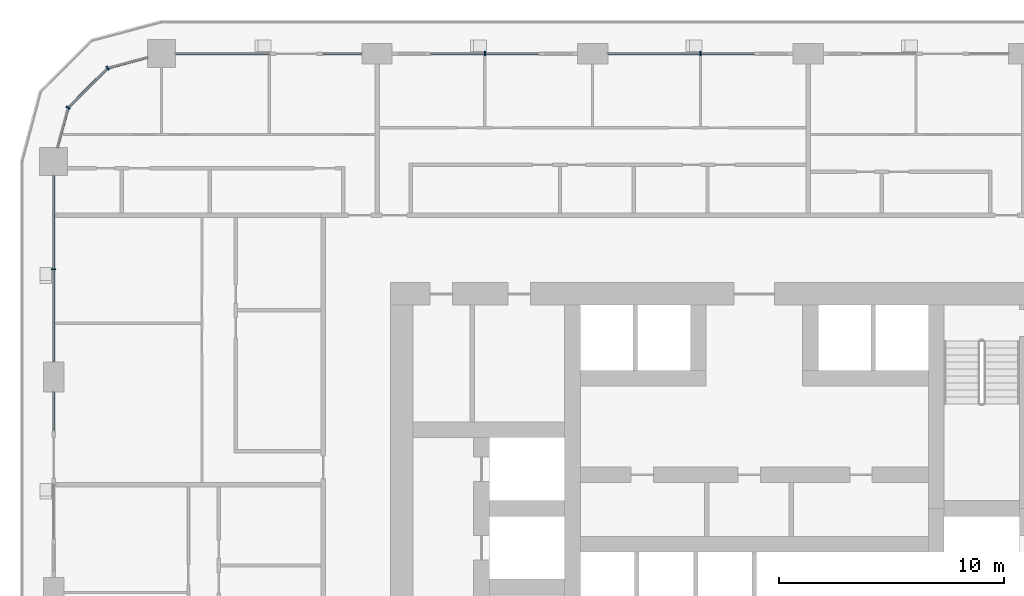
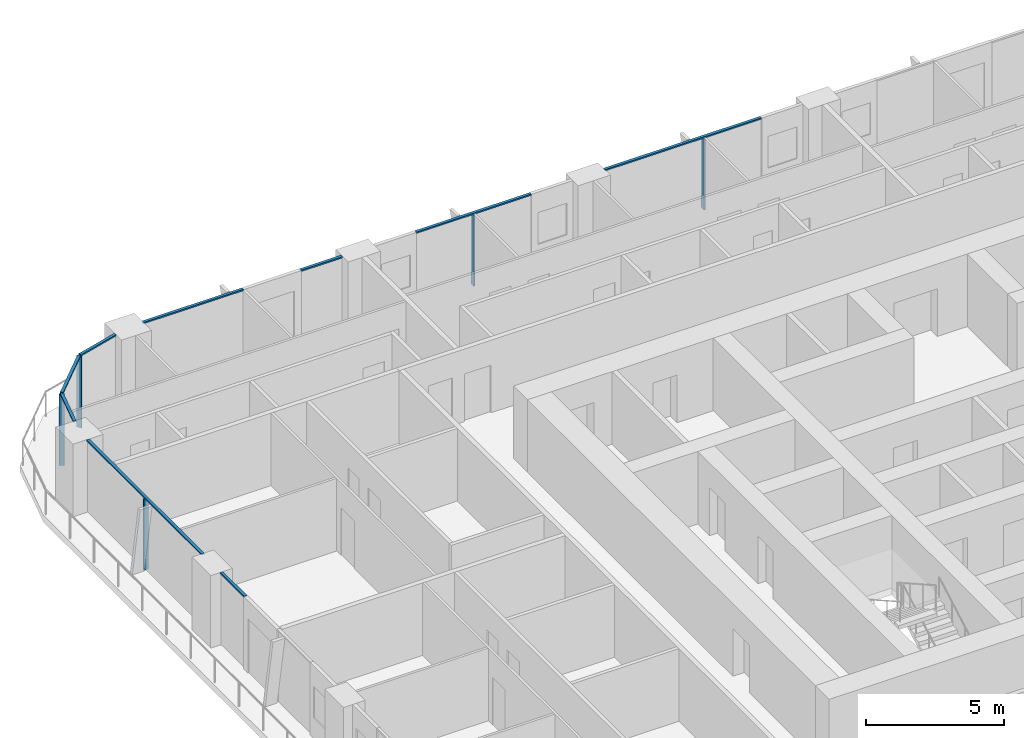
# One storey, part 5 of 21: 14 members, 6 elements without a shape of their own.
"""IFC4 building model written with IfcOpenShell, lengths in metres."""

import ifcopenshell
import ifcopenshell.guid

model = None  # the IFC model being written
_history = None  # IfcOwnerHistory: only IFC2X3 demands one
_inside = {}  # id of a spatial element -> (the spatial element, [elements in it])
_under = {}  # id of a project, library or spatial element -> (it, [spatial elements below it])
_declared = {}  # id of a project -> (the project, [libraries it declares])
_typed = {}  # id of a type object -> (the type object, [elements of that type])
_made_of = {}  # id of a material, layer set ... -> (it, [elements and type objects made of it])


def new_model(schema):
    """Start an empty IFC model of exactly this schema.

    Asked for "IFC4X3", IfcOpenShell would pick the latest addendum, in which some entities
    have other attributes; the version numbers below select the first issue.
    IFC2X3 requires an IfcOwnerHistory on every rooted entity: one is made here for all.
    """
    global model, _history
    if schema == "IFC4X3":
        model = ifcopenshell.file(schema_version=(4, 3, 0, 0))
    else:
        model = ifcopenshell.file(schema=schema)
    _inside.clear()
    _under.clear()
    _declared.clear()
    _typed.clear()
    _made_of.clear()
    _history = None
    if model.schema == "IFC2X3":
        org = make("IfcOrganization", Name="unknown")
        user = make(
            "IfcPersonAndOrganization",
            ThePerson=make("IfcPerson", FamilyName="unknown"),
            TheOrganization=org,
        )
        app = make(
            "IfcApplication",
            ApplicationDeveloper=org,
            Version="unknown",
            ApplicationFullName="unknown",
            ApplicationIdentifier="unknown",
        )
        _history = make(
            "IfcOwnerHistory",
            OwningUser=user,
            OwningApplication=app,
            ChangeAction="ADDED",
            CreationDate=0,
        )
    return model


def make(cls, **values):
    """One entity of the class cls with the attributes given. An attribute that is None is left unset."""
    return model.create_entity(
        cls, **{name: value for name, value in values.items() if value is not None}
    )


def rooted(cls, **values):
    """An entity with a GlobalId (a new one), such as an element, a storey or a relation."""
    return make(cls, GlobalId=ifcopenshell.guid.new(), OwnerHistory=_history, **values)


def si_unit(unit_type, name, prefix=None):
    """IfcSIUnit, for example si_unit("LENGTHUNIT", "METRE", prefix="MILLI")."""
    return make("IfcSIUnit", UnitType=unit_type, Prefix=prefix, Name=name)


def assignment(units):
    """IfcUnitAssignment: the units of a project."""
    return None if units is None else make("IfcUnitAssignment", Units=units)


def point(xyz):
    """IfcCartesianPoint."""
    return None if xyz is None else make("IfcCartesianPoint", Coordinates=xyz)


def direction(xyz):
    """IfcDirection."""
    return None if xyz is None else make("IfcDirection", DirectionRatios=xyz)


def frame(location, z_axis=None, x_axis=None):
    """IfcAxis2Placement3D, a coordinate frame: its origin and axes. An axis left out is left unset."""
    return make(
        "IfcAxis2Placement3D",
        Location=point(location),
        Axis=direction(z_axis),
        RefDirection=direction(x_axis),
    )


def frame_2d(location, x_axis=None):
    """IfcAxis2Placement2D, a coordinate frame in the plane: its origin and x axis."""
    return make(
        "IfcAxis2Placement2D", Location=point(location), RefDirection=direction(x_axis)
    )


def origin():
    """The frame at (0, 0, 0) with its axes left unset."""
    return frame((0.0, 0.0, 0.0))


def origin_2d():
    """The frame at (0, 0) in the plane with its x axis left unset."""
    return frame_2d((0.0, 0.0))


def place(relative_to, where):
    """IfcLocalPlacement: puts the frame where relative to a parent placement (None: the world)."""
    return make(
        "IfcLocalPlacement", PlacementRelTo=relative_to, RelativePlacement=where
    )


def context(
    kind, dimensions, precision=None, world=None, true_north=None, identifier=None
):
    """IfcGeometricRepresentationContext, for example the 3D "Model" context."""
    return make(
        "IfcGeometricRepresentationContext",
        ContextIdentifier=identifier,
        ContextType=kind,
        CoordinateSpaceDimension=dimensions,
        Precision=precision,
        WorldCoordinateSystem=world,
        TrueNorth=true_north,
    )


def subcontext(parent, identifier, kind, view, scale=None):
    """IfcGeometricRepresentationSubContext, for example "Body" below "Model"."""
    return make(
        "IfcGeometricRepresentationSubContext",
        ContextIdentifier=identifier,
        ContextType=kind,
        ParentContext=parent,
        TargetScale=scale,
        TargetView=view,
    )


def project(units=None, contexts=None):
    """IfcProject with its units and contexts."""
    return rooted(
        "IfcProject",
        Name="project",
        RepresentationContexts=contexts,
        UnitsInContext=assignment(units),
    )


def spatial(cls, under=None, at=None, **own):
    """A site, building, storey or space (cls), placed at a placement, below another one or the project."""
    s = rooted(cls, ObjectPlacement=at, **own)
    if under is not None:
        _under.setdefault(under.id(), (under, []))[1].append(s)
    return s


def profile(cls, at=None, kind="AREA", **sizes):
    """A parametric profile (cls). Its sizes go by their IFC names, for example OverallWidth=200.0."""
    return make(cls, ProfileType=kind, Position=at, **sizes)


def rectangle(**sizes):
    """IfcRectangleProfileDef."""
    return profile("IfcRectangleProfileDef", **sizes)


def extrude(swept, where, along, depth):
    """IfcExtrudedAreaSolid: the profile swept, set in the frame where, extruded along a direction by depth."""
    return make(
        "IfcExtrudedAreaSolid",
        SweptArea=swept,
        Position=where,
        ExtrudedDirection=direction(along),
        Depth=depth,
    )


def shape(context_of_items, identifier, shape_type, items):
    """IfcShapeRepresentation: the items that make up one representation, for example the "Body"."""
    return make(
        "IfcShapeRepresentation",
        ContextOfItems=context_of_items,
        RepresentationIdentifier=identifier,
        RepresentationType=shape_type,
        Items=items,
    )


def material(Name=None, Category=None):
    """IfcMaterial."""
    return make("IfcMaterial", Name=Name, Category=Category)


def layer(
    of_material, thickness, ventilated=None, Name=None, Category=None, Priority=None
):
    """IfcMaterialLayer: one layer of a wall or slab, of a material (None: an air gap)."""
    return make(
        "IfcMaterialLayer",
        Material=of_material,
        LayerThickness=thickness,
        IsVentilated=ventilated,
        Name=Name,
        Category=Category,
        Priority=Priority,
    )


def layer_set(layers, Name=None):
    """IfcMaterialLayerSet."""
    return make("IfcMaterialLayerSet", MaterialLayers=layers, LayerSetName=Name)


def material_profile(
    of_material, cross_section, Name=None, Category=None, Priority=None
):
    """IfcMaterialProfile: a cross section and its material."""
    return make(
        "IfcMaterialProfile",
        Name=Name,
        Material=of_material,
        Profile=cross_section,
        Priority=Priority,
        Category=Category,
    )


def profile_set(profiles, Name=None, composite=None):
    """IfcMaterialProfileSet."""
    return make(
        "IfcMaterialProfileSet",
        Name=Name,
        MaterialProfiles=profiles,
        CompositeProfile=composite,
    )


def made_of(thing, what):
    """Note that an element or type object is made of a material, layer set ...; save() writes the relation."""
    if what is not None:
        _made_of.setdefault(what.id(), (what, []))[1].append(thing)
    return thing


def type_object(cls, material=None, **own):
    """A type object (cls), such as IfcWallType, which elements share."""
    return made_of(rooted(cls, **own), material)


def element(
    cls,
    number,
    at=None,
    inside=None,
    cuts=None,
    type_object=None,
    material=None,
    context=None,
    identifier="Body",
    shape_type=None,
    held_by="IfcProductDefinitionShape",
    body=None,
    shapes=None,
    **own,
):
    """One element of the class cls, such as IfcWall. Its Tag is "e" and its number.

    at: its placement. inside: the storey or other place that contains it. cuts: it is an
    opening in that element (IfcRelVoidsElement). A single representation is given by context,
    identifier, shape_type and body (its items); several are given by shapes. held_by: the class
    of the entity that holds the representations. save() writes the other relations.
    """
    e = rooted(cls, Tag="e%d" % number, ObjectPlacement=at, **own)
    if body is not None:
        shapes = [shape(context, identifier, shape_type, body)]
    if shapes is not None:
        e.Representation = make(held_by, Representations=shapes)
    if inside is not None:
        _inside.setdefault(inside.id(), (inside, []))[1].append(e)
    if cuts is not None:
        rooted(
            "IfcRelVoidsElement", RelatingBuildingElement=cuts, RelatedOpeningElement=e
        )
    if type_object is not None:
        _typed.setdefault(type_object.id(), (type_object, []))[1].append(e)
    return made_of(e, material)


def aggregate(whole, parts):
    """IfcRelAggregates: a whole, such as a stair, and the parts it consists of."""
    return rooted("IfcRelAggregates", RelatingObject=whole, RelatedObjects=parts)


def save(model, path):
    """Write the relations noted so far, then the file.

    IfcRelAggregates (storeys below a building ...), IfcRelContainedInSpatialStructure (elements
    in a storey), IfcRelDefinesByType, IfcRelAssociatesMaterial and IfcRelDeclares: one each for
    every whole, place, type object, material and project.
    """
    for whole, parts in _under.values():
        aggregate(whole, parts)
    for where, things in _inside.values():
        rooted(
            "IfcRelContainedInSpatialStructure",
            RelatedElements=things,
            RelatingStructure=where,
        )
    for kind, things in _typed.values():
        rooted("IfcRelDefinesByType", RelatedObjects=things, RelatingType=kind)
    for what, things in _made_of.values():
        rooted("IfcRelAssociatesMaterial", RelatedObjects=things, RelatingMaterial=what)
    for by, libraries in _declared.values():
        rooted("IfcRelDeclares", RelatingContext=by, RelatedDefinitions=libraries)
    model.write(path)


model = new_model("IFC4")

# Units and contexts
model_context = context("Model", 3, precision=1e-05, world=origin(), true_north=direction((0.0, 1.0)))
body_context = subcontext(model_context, "Body", "Model", "MODEL_VIEW")
ifc_project = project(units=[si_unit("LENGTHUNIT", "METRE"), si_unit("AREAUNIT", "SQUARE_METRE"), si_unit("VOLUMEUNIT", "CUBIC_METRE"), si_unit("PLANEANGLEUNIT", "RADIAN"), si_unit("MASSUNIT", "GRAM", prefix="KILO")], contexts=[model_context])

# Site, building, storey
site_placement = place(None, origin())
site = spatial("IfcSite", under=ifc_project, at=site_placement, CompositionType="ELEMENT")
building_placement = place(site_placement, origin())
building = spatial("IfcBuilding", under=site, at=building_placement, Name="Madar Terraces", CompositionType="ELEMENT")
storey_placement = place(building_placement, frame((0.0, 0.0, 32.89990234375)))
storey = spatial("IfcBuildingStorey", under=building, at=storey_placement, Name="L07", CompositionType="ELEMENT", Elevation=32.89990234375)

# Curtain wall, member
ifc_material_1 = material(Name="Glass, ceramic frit dark grey, with black aluminium frame", Category="aluminium")
ifc_layer = layer(ifc_material_1, 0.199951171875)
ifc_layer_set = layer_set([ifc_layer], Name="Facade curtain wall, fritted glass")
curtain_wall_type = type_object("IfcCurtainWallType", Name="Facade curtain wall, fritted glass", PredefinedType="NOTDEFINED", material=ifc_layer_set)
curtain_wall_1_placement = place(storey_placement, origin())
curtain_wall_1 = element("IfcCurtainWall", 1, at=curtain_wall_1_placement, inside=storey, type_object=curtain_wall_type, Name="Outer skin curtain wall north bay 3", PredefinedType="NOTDEFINED")
ifc_material_2 = material(Name="Aluminium, black anodised", Category="aluminium")
ifc_material_profile_1 = material_profile(ifc_material_2, rectangle(XDim=0.199951171875, YDim=0.06005859375, at=origin_2d()), Name="Facade mullion 60x200")
ifc_profile_set_1 = profile_set([ifc_material_profile_1], Name="Aluminium, black anodised")
member_type_1 = type_object("IfcMemberType", Name="Facade mullion 60x200", PredefinedType="MULLION", material=ifc_profile_set_1)
member_1_placement = place(storey_placement, frame((28.800048828125, 48.0, 0.0), z_axis=(0.0, 0.0, 1.0), x_axis=(0.0, -1.0, 0.0)))
member_1 = element("IfcMember", 2, at=member_1_placement, type_object=member_type_1, Name="Mullion 1", PredefinedType="MULLION", context=body_context, shape_type="SweptSolid", body=[
    extrude(rectangle(XDim=0.199951171875, YDim=0.06005859375, at=origin_2d()), origin(), (0.0, 0.0, 1.0), 3.14013671875),
])

curtain_wall_2_placement = place(storey_placement, origin())
curtain_wall_2 = element("IfcCurtainWall", 3, at=curtain_wall_2_placement, inside=storey, type_object=curtain_wall_type, Name="Outer skin curtain wall north bay 4", PredefinedType="NOTDEFINED")
member_2_placement = place(storey_placement, frame((19.199951171875, 48.0, 0.0), z_axis=(0.0, 0.0, 1.0), x_axis=(0.0, -1.0, 0.0)))
member_2 = element("IfcMember", 4, at=member_2_placement, type_object=member_type_1, Name="Mullion 1", PredefinedType="MULLION", context=body_context, shape_type="SweptSolid", body=[
    extrude(rectangle(XDim=0.199951171875, YDim=0.06005859375, at=origin_2d()), origin(), (0.0, 0.0, 1.0), 3.14013671875),
])

curtain_wall_3_placement = place(storey_placement, origin())
curtain_wall_3 = element("IfcCurtainWall", 5, at=curtain_wall_3_placement, inside=storey, type_object=curtain_wall_type, Name="Outer skin curtain wall west bay 1", PredefinedType="NOTDEFINED")
member_3_placement = place(storey_placement, frame((0.0, 38.39990234375, 0.0), z_axis=(0.0, 0.0, 1.0), x_axis=(1.0, 0.0, 0.0)))
member_3 = element("IfcMember", 6, at=member_3_placement, type_object=member_type_1, Name="Mullion 1", PredefinedType="MULLION", context=body_context, shape_type="SweptSolid", body=[
    extrude(rectangle(XDim=0.199951171875, YDim=0.06005859375, at=origin_2d()), origin(), (0.0, 0.0, 1.0), 3.14013671875),
])

# Curtain wall, members
curtain_wall_4_placement = place(storey_placement, origin())
curtain_wall_4 = element("IfcCurtainWall", 7, at=curtain_wall_4_placement, inside=storey, type_object=curtain_wall_type, Name="Outer skin curtain wall north-west corner", PredefinedType="NOTDEFINED")
member_4_placement = place(storey_placement, frame((2.39990234375, 47.35693359375, 0.0), z_axis=(0.0, 0.0, 1.0), x_axis=(0.499999989586, -0.866025409797, 0.0)))
member_4 = element("IfcMember", 8, at=member_4_placement, type_object=member_type_1, Name="Mullion 1", PredefinedType="MULLION", context=body_context, shape_type="SweptSolid", body=[
    extrude(rectangle(XDim=0.199951171875, YDim=0.06005859375, at=origin_2d()), origin(), (0.0, 0.0, 1.0), 3.14013671875),
])
member_5_placement = place(storey_placement, frame((0.64306640625, 45.60009765625, 0.0), z_axis=(0.0, 0.0, 1.0), x_axis=(0.866025409797, -0.499999989586, 0.0)))
member_5 = element("IfcMember", 9, at=member_5_placement, type_object=member_type_1, Name="Mullion 2", PredefinedType="MULLION", context=body_context, shape_type="SweptSolid", body=[
    extrude(rectangle(XDim=0.199951171875, YDim=0.06005859375, at=origin_2d()), origin(), (0.0, 0.0, 1.0), 3.14013671875),
])

# Member
ifc_material_3 = material(Name="Aluminium, black anodised", Category="aluminium")
ifc_material_profile_2 = material_profile(ifc_material_3, rectangle(XDim=0.1201171875, YDim=0.06005859375, at=origin_2d()), Name="Facade transom 60x120")
ifc_profile_set_2 = profile_set([ifc_material_profile_2], Name="Aluminium, black anodised")
member_type_2 = type_object("IfcMemberType", Name="Facade transom 60x120", PredefinedType="USERDEFINED", material=ifc_profile_set_2)
member_6_placement = place(storey_placement, frame((31.199951171875, 48.0, 3.170166015625), z_axis=(-1.0, 0.0, 0.0), x_axis=(0.0, -1.0, 0.0)))
member_6 = element("IfcMember", 10, at=member_6_placement, type_object=member_type_2, Name="Transom 1", ObjectType="TRANSOM", PredefinedType="USERDEFINED", context=body_context, shape_type="SweptSolid", body=[
    extrude(rectangle(XDim=0.1201171875, YDim=0.06005859375, at=origin_2d()), origin(), (0.0, 0.0, 1.0), 6.52490234375),
])

aggregate(curtain_wall_1, [member_1, member_6])

member_7_placement = place(storey_placement, frame((21.60009765625, 48.0, 3.170166015625), z_axis=(-1.0, 0.0, 0.0), x_axis=(0.0, -1.0, 0.0)))
member_7 = element("IfcMember", 11, at=member_7_placement, type_object=member_type_2, Name="Transom 1", ObjectType="TRANSOM", PredefinedType="USERDEFINED", context=body_context, shape_type="SweptSolid", body=[
    extrude(rectangle(XDim=0.1201171875, YDim=0.06005859375, at=origin_2d()), origin(), (0.0, 0.0, 1.0), 4.800048828125),
])

aggregate(curtain_wall_2, [member_2, member_7])

# Curtain wall, members
curtain_wall_5_placement = place(storey_placement, origin())
curtain_wall_5 = element("IfcCurtainWall", 12, at=curtain_wall_5_placement, inside=storey, type_object=curtain_wall_type, Name="Outer skin curtain wall north bay 5", PredefinedType="NOTDEFINED")
member_8_placement = place(storey_placement, frame((13.72509765625, 48.0, 3.170166015625), z_axis=(-1.0, 0.0, 0.0), x_axis=(0.0, -1.0, 0.0)))
member_8 = element("IfcMember", 13, at=member_8_placement, type_object=member_type_2, Name="Transom 1", ObjectType="TRANSOM", PredefinedType="USERDEFINED", context=body_context, shape_type="SweptSolid", body=[
    extrude(rectangle(XDim=0.1201171875, YDim=0.06005859375, at=origin_2d()), origin(), (0.0, 0.0, 1.0), 1.72509765625),
])
member_9_placement = place(storey_placement, frame((9.60009765625, 48.0, 3.170166015625), z_axis=(-1.0, 0.0, 0.0), x_axis=(0.0, -1.0, 0.0)))
member_9 = element("IfcMember", 14, at=member_9_placement, type_object=member_type_2, Name="Transom 2", ObjectType="TRANSOM", PredefinedType="USERDEFINED", context=body_context, shape_type="SweptSolid", body=[
    extrude(rectangle(XDim=0.1201171875, YDim=0.06005859375, at=origin_2d()), origin(), (0.0, 0.0, 1.0), 4.175048828125),
])
aggregate(curtain_wall_5, [member_8, member_9])

# Member
member_10_placement = place(storey_placement, frame((0.0, 42.574951171875, 3.170166015625), z_axis=(0.0, -1.0, 0.0), x_axis=(1.0, 0.0, 0.0)))
member_10 = element("IfcMember", 15, at=member_10_placement, type_object=member_type_2, Name="Transom 1", ObjectType="TRANSOM", PredefinedType="USERDEFINED", context=body_context, shape_type="SweptSolid", body=[
    extrude(rectangle(XDim=0.1201171875, YDim=0.06005859375, at=origin_2d()), origin(), (0.0, 0.0, 1.0), 8.300048828125),
])

aggregate(curtain_wall_3, [member_3, member_10])

# Curtain wall, member
curtain_wall_6_placement = place(storey_placement, origin())
curtain_wall_6 = element("IfcCurtainWall", 16, at=curtain_wall_6_placement, inside=storey, type_object=curtain_wall_type, Name="Outer skin curtain wall west bay 2", PredefinedType="NOTDEFINED")
member_11_placement = place(storey_placement, frame((0.0, 32.925048828125, 3.170166015625), z_axis=(0.0, -1.0, 0.0), x_axis=(1.0, 0.0, 0.0)))
member_11 = element("IfcMember", 17, at=member_11_placement, type_object=member_type_2, Name="Transom 1", ObjectType="TRANSOM", PredefinedType="USERDEFINED", context=body_context, shape_type="SweptSolid", body=[
    extrude(rectangle(XDim=0.1201171875, YDim=0.06005859375, at=origin_2d()), origin(), (0.0, 0.0, 1.0), 1.72509765625),
])
aggregate(curtain_wall_6, [member_11])

# Member
member_12_placement = place(storey_placement, frame((4.175048828125, 47.83251953125, 3.170166015625), z_axis=(-0.965938406667, -0.258772089929, 0.0), x_axis=(0.258772089929, -0.965938406667, 0.0)))
member_12 = element("IfcMember", 18, at=member_12_placement, type_object=member_type_2, Name="Transom 1", ObjectType="TRANSOM", PredefinedType="USERDEFINED", context=body_context, shape_type="SweptSolid", body=[
    extrude(rectangle(XDim=0.1201171875, YDim=0.06005859375, at=origin_2d()), origin(), (0.0, 0.0, 1.0), 1.8076171875),
])

member_13_placement = place(storey_placement, frame((2.37890625, 47.335693359375, 3.170166015625), z_axis=(-0.707106781187, -0.707106781187, 0.0), x_axis=(0.707106781187, -0.707106781187, 0.0)))
member_13 = element("IfcMember", 19, at=member_13_placement, type_object=member_type_2, Name="Transom 2", ObjectType="TRANSOM", PredefinedType="USERDEFINED", context=body_context, shape_type="SweptSolid", body=[
    extrude(rectangle(XDim=0.1201171875, YDim=0.06005859375, at=origin_2d()), origin(), (0.0, 0.0, 1.0), 2.4248046875),
])

member_14_placement = place(storey_placement, frame((0.63525390625, 45.571044921875, 3.170166015625), z_axis=(-0.258772089929, -0.965938406667, 0.0), x_axis=(0.965938406667, -0.258772089929, 0.0)))
member_14 = element("IfcMember", 20, at=member_14_placement, type_object=member_type_2, Name="Transom 3", ObjectType="TRANSOM", PredefinedType="USERDEFINED", context=body_context, shape_type="SweptSolid", body=[
    extrude(rectangle(XDim=0.1201171875, YDim=0.06005859375, at=origin_2d()), origin(), (0.0, 0.0, 1.0), 1.8076171875),
])

aggregate(curtain_wall_4, [member_4, member_12, member_5, member_13, member_14])

save(model, "model.ifc")
